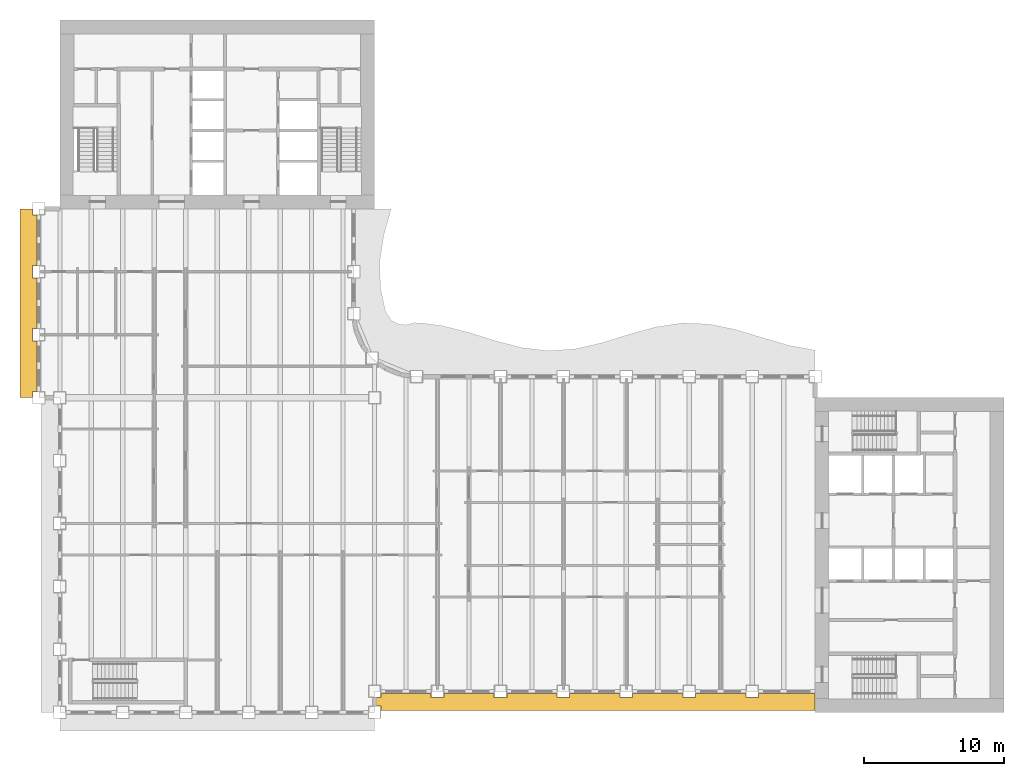
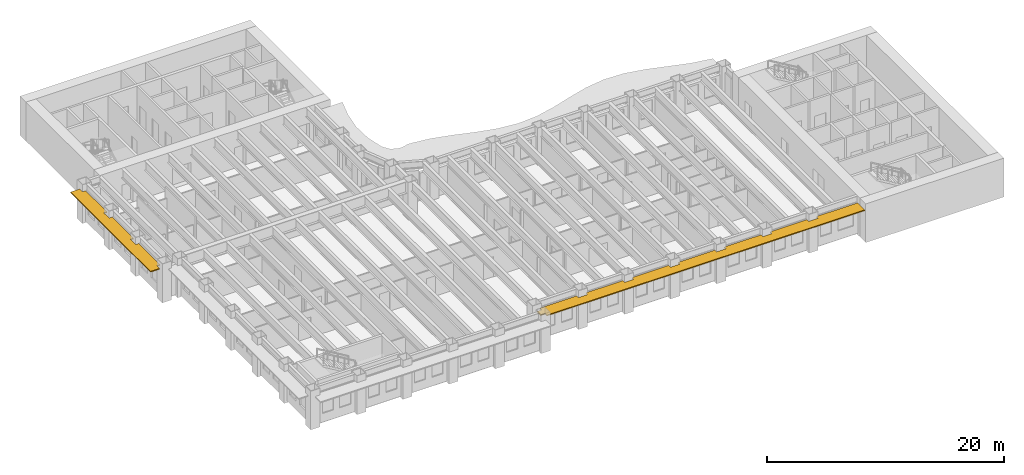
# One storey, part 12 of 16: 2 shading devices.
"""IFC4 building model written with IfcOpenShell, lengths in metres."""

from ifc_helpers import new_model, si_unit, direction, frame, origin, place, context, subcontext, project, spatial, polyline, outline, extrude, material, layer, layer_set, type_object, element, save


model = new_model("IFC4")

# Units and contexts
model_context = context("Model", 3, precision=1e-05, world=origin(), true_north=direction((0.0, 1.0)))
body_context = subcontext(model_context, "Body", "Model", "MODEL_VIEW")
ifc_project = project(units=[si_unit("LENGTHUNIT", "METRE"), si_unit("AREAUNIT", "SQUARE_METRE"), si_unit("VOLUMEUNIT", "CUBIC_METRE"), si_unit("PLANEANGLEUNIT", "RADIAN"), si_unit("MASSUNIT", "GRAM", prefix="KILO")], contexts=[model_context])

# Site, building, storey
site_placement = place(None, origin())
site = spatial("IfcSite", under=ifc_project, at=site_placement, CompositionType="ELEMENT")
building_placement = place(site_placement, origin())
building = spatial("IfcBuilding", under=site, at=building_placement, Name="Sennacour Bend Tower", CompositionType="ELEMENT")
storey_placement = place(building_placement, frame((0.0, 0.0, 171.0)))
storey = spatial("IfcBuildingStorey", under=building, at=storey_placement, Name="L39", CompositionType="ELEMENT", Elevation=171.0)

# Shading devices
ifc_material = material(Name="Bronze anodised aluminium", Category="aluminium")
ifc_layer = layer(ifc_material, 0.10009765625, Name="Bronze anodised aluminium", Category="aluminium")
ifc_layer_set = layer_set([ifc_layer], Name="Bronze anodised aluminium")
shading_device_type = type_object("IfcShadingDeviceType", Name="SUNSHADE BAND STRAIGHT", PredefinedType="USERDEFINED", material=ifc_layer_set)
shading_device_1_placement = place(storey_placement, frame((0.0, 0.0, 3.049072265625)))
element("IfcShadingDevice", 1, at=shading_device_1_placement, inside=storey, type_object=shading_device_type, Name="Sunshade band L39 A outer face", ObjectType="SUNSHADE", PredefinedType="USERDEFINED", context=body_context, shape_type="SweptSolid", body=[
    extrude(outline(polyline([(26.550048828125, 1.35009765625), (26.550048828125, 1.050048828125), (27.449951171875, 1.050048828125), (27.449951171875, 1.35009765625), (31.050048828125, 1.35009765625), (31.050048828125, 1.050048828125), (31.949951171875, 1.050048828125), (31.949951171875, 1.35009765625), (35.550048828125, 1.35009765625), (35.550048828125, 1.050048828125), (36.449951171875, 1.050048828125), (36.449951171875, 1.35009765625), (40.050048828125, 1.35009765625), (40.050048828125, 1.050048828125), (40.949951171875, 1.050048828125), (40.949951171875, 1.35009765625), (44.550048828125, 1.35009765625), (44.550048828125, 1.050048828125), (45.449951171875, 1.050048828125), (45.449951171875, 1.35009765625), (49.050048828125, 1.35009765625), (49.050048828125, 1.050048828125), (49.949951171875, 1.050048828125), (49.949951171875, 1.35009765625), (54.0, 1.35009765625), (54.0, 0.14990234375), (22.949951171875, 0.14990234375), (22.949951171875, 0.449951171875), (22.5, 0.449951171875), (22.5, 1.050048828125), (22.949951171875, 1.050048828125), (22.949951171875, 1.35009765625), (26.550048828125, 1.35009765625)])), origin(), (0.0, 0.0, 1.0), 0.099853515625),
])
shading_device_2_placement = place(storey_placement, frame((0.0, 0.0, 3.049072265625)))
element("IfcShadingDevice", 2, at=shading_device_2_placement, inside=storey, type_object=shading_device_type, Name="Sunshade band L39 B outer face", ObjectType="SUNSHADE", PredefinedType="USERDEFINED", context=body_context, shape_type="SweptSolid", body=[
    extrude(outline(polyline([(-1.64990234375, 31.949951171875), (-1.949951171875, 31.949951171875), (-1.949951171875, 31.050048828125), (-1.64990234375, 31.050048828125), (-1.64990234375, 27.449951171875), (-1.949951171875, 27.449951171875), (-1.949951171875, 26.550048828125), (-1.64990234375, 26.550048828125), (-1.64990234375, 22.949951171875), (-1.949951171875, 22.949951171875), (-1.949951171875, 22.5), (-2.85009765625, 22.5), (-2.85009765625, 36.0), (-1.949951171875, 36.0), (-1.949951171875, 35.550048828125), (-1.64990234375, 35.550048828125), (-1.64990234375, 31.949951171875)])), origin(), (0.0, 0.0, 1.0), 0.099853515625),
])

save(model, "model.ifc")
